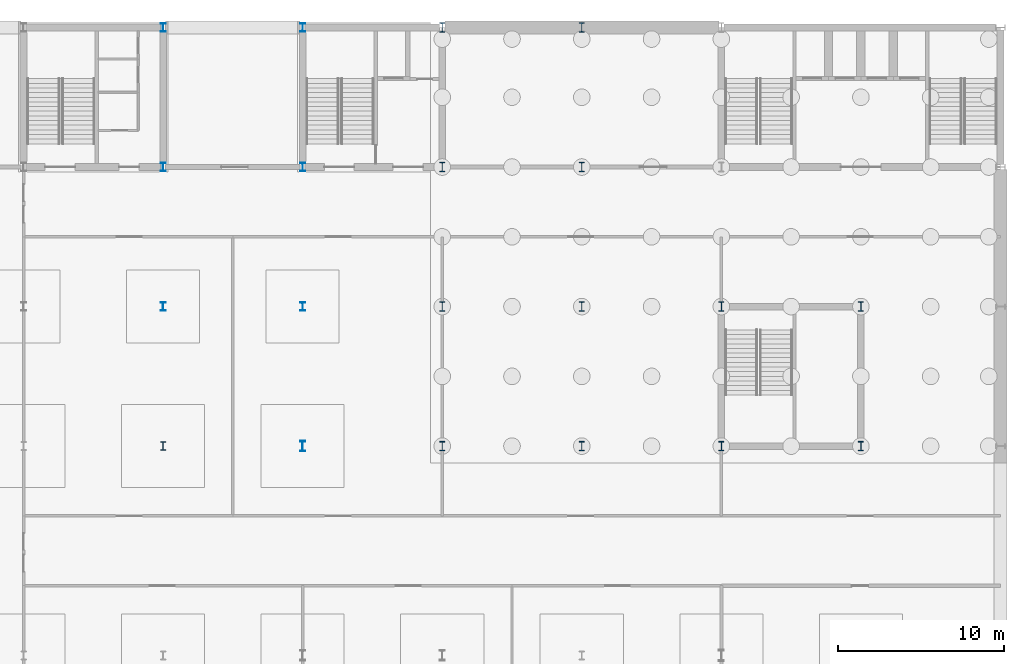
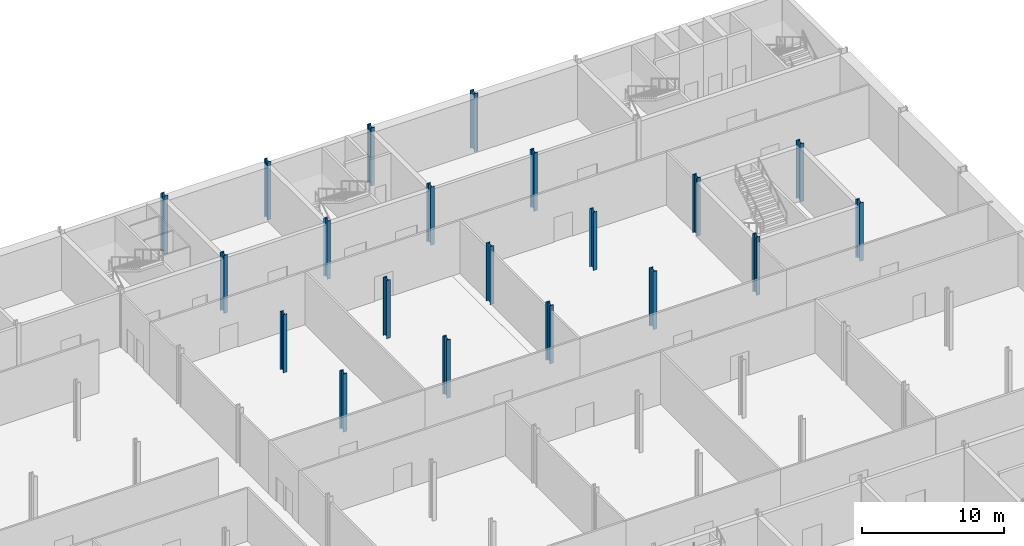
# One storey, part 9 of 22: 20 columns.
"""IFC4 building model written with IfcOpenShell, lengths in metres."""

from ifc_helpers import new_model, si_unit, direction, frame, origin, origin_2d, place, context, subcontext, project, spatial, i_section, extrude, material, material_profile, profile_set, type_object, element, save


model = new_model("IFC4")

# Units and contexts
model_context = context("Model", 3, precision=1e-05, world=origin(), true_north=direction((0.0, 1.0)))
body_context = subcontext(model_context, "Body", "Model", "MODEL_VIEW")
ifc_project = project(units=[si_unit("LENGTHUNIT", "METRE"), si_unit("AREAUNIT", "SQUARE_METRE"), si_unit("VOLUMEUNIT", "CUBIC_METRE"), si_unit("PLANEANGLEUNIT", "RADIAN"), si_unit("MASSUNIT", "GRAM", prefix="KILO")], contexts=[model_context])

# Site, building, storey
site_placement = place(None, origin())
site = spatial("IfcSite", under=ifc_project, at=site_placement, CompositionType="ELEMENT")
building_placement = place(site_placement, origin())
building = spatial("IfcBuilding", under=site, at=building_placement, Name="Galleria Vessillo Department Store", CompositionType="ELEMENT")
storey_placement = place(building_placement, frame((0.0, 0.0, -9.89990234375)))
storey = spatial("IfcBuildingStorey", under=building, at=storey_placement, Name="B2", CompositionType="ELEMENT", Elevation=-9.89990234375)

# Columns
ifc_material_1 = material(Name="Steel S355 J2", Category="steel")
ifc_material_profile_1 = material_profile(ifc_material_1, i_section(OverallWidth=0.300048828125, OverallDepth=0.5, WebThickness=0.014404296875, FlangeThickness=0.028076171875, FilletRadius=0.027099609375, at=origin_2d()), Name="HEB 500")
ifc_profile_set_1 = profile_set([ifc_material_profile_1], Name="Steel S355 J2")
column_type_1 = type_object("IfcColumnType", Name="Steel column HEB 500 CP1", PredefinedType="COLUMN", material=ifc_profile_set_1)
for number, where, z_axis, x_axis, name in (
    (1, (67.199951171875, 46.199951171875, 0.0), (0.0, 0.0, 1.0), (1.0, 0.0, 0.0), "S-COL-B2-9-F"),
    (2, (67.199951171875, 54.60009765625, 0.0), (0.0, 0.0, 1.0), (1.0, 0.0, 0.0), "S-COL-B2-9-G"),
    (3, (67.199951171875, 63.0, 0.0), (0.0, 0.0, 1.0), (1.0, 0.0, 0.0), "S-COL-B2-9-H"),
    (4, (75.60009765625, 46.199951171875, 0.0), (0.0, 0.0, 1.0), (1.0, 0.0, 0.0), "S-COL-B2-10-F"),
    (5, (75.60009765625, 54.60009765625, 0.0), (0.0, 0.0, 1.0), (1.0, 0.0, 0.0), "S-COL-B2-10-G"),
    (6, (75.60009765625, 63.0, 0.0), (0.0, 0.0, 1.0), (1.0, 0.0, 0.0), "S-COL-B2-10-H"),
):
    element("IfcColumn", number, at=place(storey_placement, frame(where, z_axis=z_axis, x_axis=x_axis)), inside=storey, type_object=column_type_1, Name=name, PredefinedType="COLUMN", context=body_context, shape_type="SweptSolid", body=[
        extrude(i_section(OverallWidth=0.300048828125, OverallDepth=0.5, WebThickness=0.014404296875, FlangeThickness=0.028076171875, FilletRadius=0.027099609375, at=origin_2d()), origin(), (0.0, 0.0, 1.0), 5.0),
    ])
ifc_material_2 = material(Name="Steel S355 J2", Category="steel")
ifc_material_profile_2 = material_profile(ifc_material_2, i_section(OverallWidth=0.305908203125, OverallDepth=0.52392578125, WebThickness=0.02099609375, FlangeThickness=0.0400390625, FilletRadius=0.027099609375, at=origin_2d()), Name="HEM 500")
ifc_profile_set_2 = profile_set([ifc_material_profile_2], Name="Steel S355 J2")
column_type_2 = type_object("IfcColumnType", Name="Steel column HEM 500 CV1", PredefinedType="COLUMN", material=ifc_profile_set_2)
column_1_placement = place(storey_placement, frame((67.199951171875, 37.800048828125, 0.0), z_axis=(0.0, 0.0, 1.0), x_axis=(1.0, 0.0, 0.0)))
element("IfcColumn", 7, at=column_1_placement, inside=storey, type_object=column_type_2, Name="S-COL-B2-9-E", PredefinedType="COLUMN", context=body_context, shape_type="SweptSolid", body=[
    extrude(i_section(OverallWidth=0.305908203125, OverallDepth=0.52392578125, WebThickness=0.02099609375, FlangeThickness=0.0400390625, FilletRadius=0.027099609375, at=origin_2d()), origin(), (0.0, 0.0, 1.0), 5.0),
])
ifc_material_3 = material(Name="Steel S355 J2", Category="steel")
ifc_material_profile_3 = material_profile(ifc_material_3, i_section(OverallWidth=0.305908203125, OverallDepth=0.572021484375, WebThickness=0.02099609375, FlangeThickness=0.0400390625, FilletRadius=0.027099609375, at=origin_2d()), Name="HEM 550")
ifc_profile_set_3 = profile_set([ifc_material_profile_3], Name="Steel S355 J2")
column_type_3 = type_object("IfcColumnType", Name="Steel column HEM 550 CT1", PredefinedType="COLUMN", material=ifc_profile_set_3)
for number, where, z_axis, x_axis, name in (
    (8, (84.0, 37.800048828125, 0.0), (0.0, 0.0, 1.0), (1.0, 0.0, 0.0), "S-COL-B2-11-E"),
    (9, (84.0, 46.199951171875, 0.0), (0.0, 0.0, 1.0), (1.0, 0.0, 0.0), "S-COL-B2-11-F"),
    (10, (84.0, 54.60009765625, 0.0), (0.0, 0.0, 1.0), (1.0, 0.0, 0.0), "S-COL-B2-11-G"),
    (11, (84.0, 63.0, 0.0), (0.0, 0.0, 1.0), (1.0, 0.0, 0.0), "S-COL-B2-11-H"),
    (12, (92.39990234375, 37.800048828125, 0.0), (0.0, 0.0, 1.0), (1.0, 0.0, 0.0), "S-COL-B2-12-E"),
    (13, (92.39990234375, 46.199951171875, 0.0), (0.0, 0.0, 1.0), (1.0, 0.0, 0.0), "S-COL-B2-12-F"),
    (14, (92.39990234375, 54.60009765625, 0.0), (0.0, 0.0, 1.0), (1.0, 0.0, 0.0), "S-COL-B2-12-G"),
    (15, (92.39990234375, 63.0, 0.0), (0.0, 0.0, 1.0), (1.0, 0.0, 0.0), "S-COL-B2-12-H"),
    (16, (100.800048828125, 37.800048828125, 0.0), (0.0, 0.0, 1.0), (1.0, 0.0, 0.0), "S-COL-B2-13-E"),
    (17, (100.800048828125, 46.199951171875, 0.0), (0.0, 0.0, 1.0), (1.0, 0.0, 0.0), "S-COL-B2-13-F"),
    (18, (109.199951171875, 37.800048828125, 0.0), (0.0, 0.0, 1.0), (1.0, 0.0, 0.0), "S-COL-B2-14-E"),
    (19, (109.199951171875, 46.199951171875, 0.0), (0.0, 0.0, 1.0), (1.0, 0.0, 0.0), "S-COL-B2-14-F"),
):
    element("IfcColumn", number, at=place(storey_placement, frame(where, z_axis=z_axis, x_axis=x_axis)), inside=storey, type_object=column_type_3, Name=name, PredefinedType="COLUMN", context=body_context, shape_type="SweptSolid", body=[
        extrude(i_section(OverallWidth=0.305908203125, OverallDepth=0.572021484375, WebThickness=0.02099609375, FlangeThickness=0.0400390625, FilletRadius=0.027099609375, at=origin_2d()), origin(), (0.0, 0.0, 1.0), 5.0),
    ])
ifc_material_4 = material(Name="Steel S355 J2", Category="steel")
ifc_material_profile_4 = material_profile(ifc_material_4, i_section(OverallWidth=0.304931640625, OverallDepth=0.6201171875, WebThickness=0.02099609375, FlangeThickness=0.0400390625, FilletRadius=0.027099609375, at=origin_2d()), Name="HEM 600")
ifc_profile_set_4 = profile_set([ifc_material_profile_4], Name="Steel S355 J2")
column_type_4 = type_object("IfcColumnType", Name="Steel column HEM 600 CV2", PredefinedType="COLUMN", material=ifc_profile_set_4)
column_2_placement = place(storey_placement, frame((75.60009765625, 37.800048828125, 0.0), z_axis=(0.0, 0.0, 1.0), x_axis=(1.0, 0.0, 0.0)))
element("IfcColumn", 20, at=column_2_placement, inside=storey, type_object=column_type_4, Name="S-COL-B2-10-E", PredefinedType="COLUMN", context=body_context, shape_type="SweptSolid", body=[
    extrude(i_section(OverallWidth=0.304931640625, OverallDepth=0.6201171875, WebThickness=0.02099609375, FlangeThickness=0.0400390625, FilletRadius=0.027099609375, at=origin_2d()), origin(), (0.0, 0.0, 1.0), 5.0),
])

save(model, "model.ifc")
